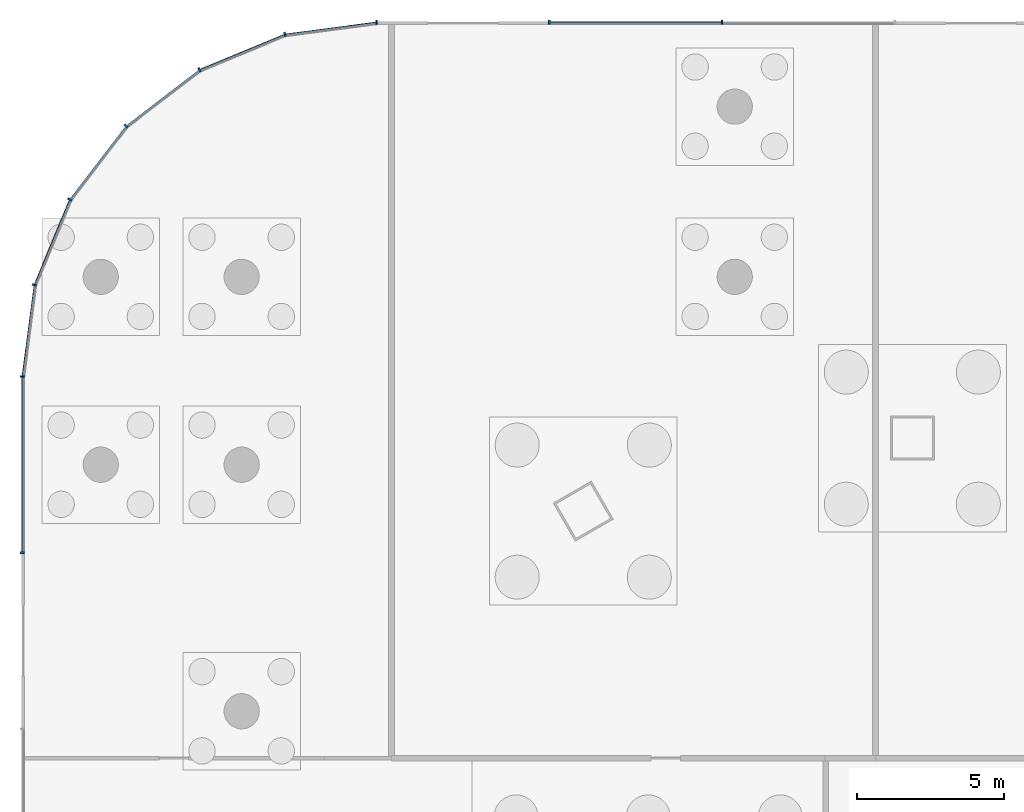
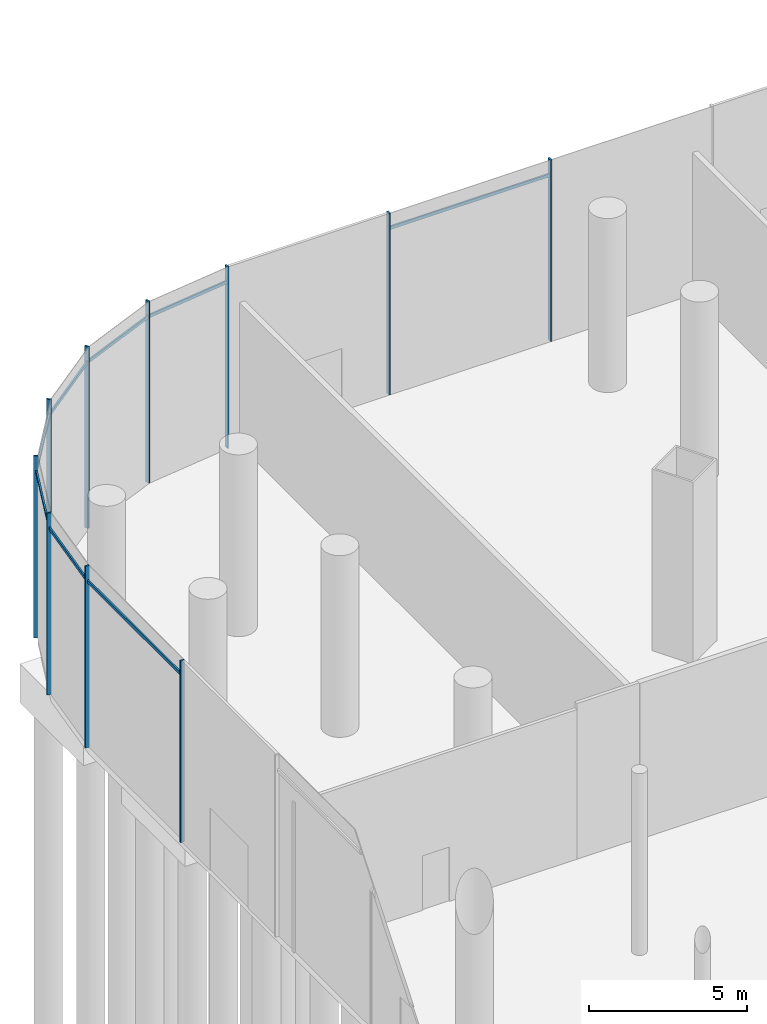
# One storey, part 15 of 41: 18 members, 1 element without a shape of its own.
"""IFC4 building model written with IfcOpenShell, lengths in metres."""

from ifc_helpers import new_model, si_unit, direction, frame, origin, origin_2d, place, context, subcontext, project, spatial, rectangle, extrude, material, material_profile, profile_set, type_object, element, aggregate, save


model = new_model("IFC4")

# Units and contexts
model_context = context("Model", 3, precision=1e-05, world=origin(), true_north=direction((0.0, 1.0)))
body_context = subcontext(model_context, "Body", "Model", "MODEL_VIEW")
ifc_project = project(units=[si_unit("LENGTHUNIT", "METRE"), si_unit("AREAUNIT", "SQUARE_METRE"), si_unit("VOLUMEUNIT", "CUBIC_METRE"), si_unit("PLANEANGLEUNIT", "RADIAN"), si_unit("MASSUNIT", "GRAM", prefix="KILO")], contexts=[model_context])

# Site, building, storey
site_placement = place(None, origin())
site = spatial("IfcSite", under=ifc_project, at=site_placement, CompositionType="ELEMENT")
building_placement = place(site_placement, origin())
building = spatial("IfcBuilding", under=site, at=building_placement, Name="Rimbun Link Towers", CompositionType="ELEMENT")
storey_placement = place(building_placement, origin())
storey = spatial("IfcBuildingStorey", under=building, at=storey_placement, Name="L00", CompositionType="ELEMENT", Elevation=0.0)

# Curtain wall, members
ifc_material_1 = material(Name="Aluminium 6063-T6 and low-iron glass", Category="aluminium")
curtain_wall_type = type_object("IfcCurtainWallType", Name="CW3 podium shopfront", PredefinedType="NOTDEFINED", material=ifc_material_1)
curtain_wall_placement = place(storey_placement, origin())
curtain_wall = element("IfcCurtainWall", 1, at=curtain_wall_placement, inside=storey, type_object=curtain_wall_type, Name="CW3 L00 PD", PredefinedType="NOTDEFINED")
ifc_material_2 = material(Name="Aluminium 6063-T6", Category="aluminium")
ifc_material_profile_1 = material_profile(ifc_material_2, rectangle(XDim=0.14990234375, YDim=0.06005859375, at=origin_2d()), Name="MULLION 60X150")
ifc_profile_set_1 = profile_set([ifc_material_profile_1], Name="Aluminium 6063-T6")
member_type_1 = type_object("IfcMemberType", Name="CW3 mullion 60X150", PredefinedType="MULLION", material=ifc_profile_set_1)
member_1_placement = place(storey_placement, frame((-38.2353515625, 36.074951171875, 0.0), z_axis=(0.0, 0.0, 1.0), x_axis=(0.0, 1.0, 0.0)))
member_1 = element("IfcMember", 2, at=member_1_placement, type_object=member_type_1, Name="CW3 mullion", PredefinedType="MULLION", context=body_context, shape_type="SweptSolid", body=[
    extrude(rectangle(XDim=0.14990234375, YDim=0.06005859375, at=origin_2d()), origin(), (0.0, 0.0, 1.0), 7.0),
])
member_2_placement = place(storey_placement, frame((-44.11767578125, 36.074951171875, 0.0), z_axis=(0.0, 0.0, 1.0), x_axis=(0.0, 1.0, 0.0)))
member_2 = element("IfcMember", 3, at=member_2_placement, type_object=member_type_1, Name="CW3 mullion", PredefinedType="MULLION", context=body_context, shape_type="SweptSolid", body=[
    extrude(rectangle(XDim=0.14990234375, YDim=0.06005859375, at=origin_2d()), origin(), (0.0, 0.0, 1.0), 7.0),
])
member_3_placement = place(storey_placement, frame((-50.0048828125, 36.074951171875, 0.0), z_axis=(0.0, 0.0, 1.0), x_axis=(-0.065405288299, 0.997858781723, 0.0)))
member_3 = element("IfcMember", 4, at=member_3_placement, type_object=member_type_1, Name="CW3 mullion", PredefinedType="MULLION", context=body_context, shape_type="SweptSolid", body=[
    extrude(rectangle(XDim=0.14990234375, YDim=0.06005859375, at=origin_2d()), origin(), (0.0, 0.0, 1.0), 7.0),
])
member_4_placement = place(storey_placement, frame((-53.125244140625, 35.66357421875, 0.0), z_axis=(0.0, 0.0, 1.0), x_axis=(-0.258818729038, 0.965925910978, 0.0)))
member_4 = element("IfcMember", 5, at=member_4_placement, type_object=member_type_1, Name="CW3 mullion", PredefinedType="MULLION", context=body_context, shape_type="SweptSolid", body=[
    extrude(rectangle(XDim=0.14990234375, YDim=0.06005859375, at=origin_2d()), origin(), (0.0, 0.0, 1.0), 7.0),
])
member_5_placement = place(storey_placement, frame((-56.03759765625, 34.457275390625, 0.0), z_axis=(0.0, 0.0, 1.0), x_axis=(-0.499993701568, 0.866029040155, 0.0)))
member_5 = element("IfcMember", 6, at=member_5_placement, type_object=member_type_1, Name="CW3 mullion", PredefinedType="MULLION", context=body_context, shape_type="SweptSolid", body=[
    extrude(rectangle(XDim=0.14990234375, YDim=0.06005859375, at=origin_2d()), origin(), (0.0, 0.0, 1.0), 7.0),
])
member_6_placement = place(storey_placement, frame((-58.538330078125, 32.538330078125, 0.0), z_axis=(0.0, 0.0, 1.0), x_axis=(-0.707106781187, 0.707106781187, 0.0)))
member_6 = element("IfcMember", 7, at=member_6_placement, type_object=member_type_1, Name="CW3 mullion", PredefinedType="MULLION", context=body_context, shape_type="SweptSolid", body=[
    extrude(rectangle(XDim=0.14990234375, YDim=0.06005859375, at=origin_2d()), origin(), (0.0, 0.0, 1.0), 7.0),
])
member_7_placement = place(storey_placement, frame((-60.457275390625, 30.03759765625, 0.0), z_axis=(0.0, 0.0, 1.0), x_axis=(-0.866029040155, 0.499993701568, 0.0)))
member_7 = element("IfcMember", 8, at=member_7_placement, type_object=member_type_1, Name="CW3 mullion", PredefinedType="MULLION", context=body_context, shape_type="SweptSolid", body=[
    extrude(rectangle(XDim=0.14990234375, YDim=0.06005859375, at=origin_2d()), origin(), (0.0, 0.0, 1.0), 7.0),
])
member_8_placement = place(storey_placement, frame((-61.66357421875, 27.125244140625, 0.0), z_axis=(0.0, 0.0, 1.0), x_axis=(-0.965925910978, 0.258818729038, 0.0)))
member_8 = element("IfcMember", 9, at=member_8_placement, type_object=member_type_1, Name="CW3 mullion", PredefinedType="MULLION", context=body_context, shape_type="SweptSolid", body=[
    extrude(rectangle(XDim=0.14990234375, YDim=0.06005859375, at=origin_2d()), origin(), (0.0, 0.0, 1.0), 7.0),
])
member_9_placement = place(storey_placement, frame((-62.074951171875, 24.0048828125, 0.0), z_axis=(0.0, 0.0, 1.0), x_axis=(-0.997858781723, 0.065405288299, 0.0)))
member_9 = element("IfcMember", 10, at=member_9_placement, type_object=member_type_1, Name="CW3 mullion", PredefinedType="MULLION", context=body_context, shape_type="SweptSolid", body=[
    extrude(rectangle(XDim=0.14990234375, YDim=0.06005859375, at=origin_2d()), origin(), (0.0, 0.0, 1.0), 7.0),
])
member_10_placement = place(storey_placement, frame((-62.074951171875, 18.0, 0.0), z_axis=(0.0, 0.0, 1.0), x_axis=(-1.0, 0.0, 0.0)))
member_10 = element("IfcMember", 11, at=member_10_placement, type_object=member_type_1, Name="CW3 mullion", PredefinedType="MULLION", context=body_context, shape_type="SweptSolid", body=[
    extrude(rectangle(XDim=0.14990234375, YDim=0.06005859375, at=origin_2d()), origin(), (0.0, 0.0, 1.0), 7.0),
])
ifc_material_3 = material(Name="Aluminium 6063-T6", Category="aluminium")
ifc_material_profile_2 = material_profile(ifc_material_3, rectangle(XDim=0.06005859375, YDim=0.1201171875, at=origin_2d()), Name="TRANSOM 60X120")
ifc_profile_set_2 = profile_set([ifc_material_profile_2], Name="Aluminium 6063-T6")
member_type_2 = type_object("IfcMemberType", Name="CW3 transom 60X120", PredefinedType="USERDEFINED", material=ifc_profile_set_2)
member_11_placement = place(storey_placement, frame((-44.087646484375, 36.053955078125, 6.39990234375), z_axis=(1.0, 0.0, 0.0), x_axis=(0.0, 1.0, 0.0)))
member_11 = element("IfcMember", 12, at=member_11_placement, type_object=member_type_2, Name="CW3 transom", ObjectType="TRANSOM", PredefinedType="USERDEFINED", context=body_context, shape_type="SweptSolid", body=[
    extrude(rectangle(XDim=0.06005859375, YDim=0.1201171875, at=origin_2d()), origin(), (0.0, 0.0, 1.0), 5.822265625),
])
member_12_placement = place(storey_placement, frame((-53.0830078125, 35.6484375, 6.39990234375), z_axis=(0.991441037829, 0.130555231638, 0.0), x_axis=(-0.130555231638, 0.991441037829, 0.0)))
member_12 = element("IfcMember", 13, at=member_12_placement, type_object=member_type_2, Name="CW3 transom", ObjectType="TRANSOM", PredefinedType="USERDEFINED", context=body_context, shape_type="SweptSolid", body=[
    extrude(rectangle(XDim=0.06005859375, YDim=0.1201171875, at=origin_2d()), origin(), (0.0, 0.0, 1.0), 3.072509765625),
])
member_13_placement = place(storey_placement, frame((-55.992919921875, 34.45361328125, 6.39990234375), z_axis=(0.923881248716, 0.382679289053, 0.0), x_axis=(-0.382679289053, 0.923881248716, 0.0)))
member_13 = element("IfcMember", 14, at=member_13_placement, type_object=member_type_2, Name="CW3 transom", ObjectType="TRANSOM", PredefinedType="USERDEFINED", context=body_context, shape_type="SweptSolid", body=[
    extrude(rectangle(XDim=0.06005859375, YDim=0.1201171875, at=origin_2d()), origin(), (0.0, 0.0, 1.0), 3.072509765625),
])
member_14_placement = place(storey_placement, frame((-58.494384765625, 32.54638671875, 6.39990234375), z_axis=(0.793344129687, 0.608773432314, 0.0), x_axis=(-0.608773432314, 0.793344129687, 0.0)))
member_14 = element("IfcMember", 15, at=member_14_placement, type_object=member_type_2, Name="CW3 transom", ObjectType="TRANSOM", PredefinedType="USERDEFINED", context=body_context, shape_type="SweptSolid", body=[
    extrude(rectangle(XDim=0.06005859375, YDim=0.1201171875, at=origin_2d()), origin(), (0.0, 0.0, 1.0), 3.07275390625),
])
member_15_placement = place(storey_placement, frame((-60.4169921875, 30.056640625, 6.39990234375), z_axis=(0.608773432314, 0.793344129687, 0.0), x_axis=(-0.793344129687, 0.608773432314, 0.0)))
member_15 = element("IfcMember", 16, at=member_15_placement, type_object=member_type_2, Name="CW3 transom", ObjectType="TRANSOM", PredefinedType="USERDEFINED", context=body_context, shape_type="SweptSolid", body=[
    extrude(rectangle(XDim=0.06005859375, YDim=0.1201171875, at=origin_2d()), origin(), (0.0, 0.0, 1.0), 3.07275390625),
])
member_16_placement = place(storey_placement, frame((-61.62939453125, 27.154296875, 6.39990234375), z_axis=(0.382679289053, 0.923881248716, 0.0), x_axis=(-0.923881248716, 0.382679289053, 0.0)))
member_16 = element("IfcMember", 17, at=member_16_placement, type_object=member_type_2, Name="CW3 transom", ObjectType="TRANSOM", PredefinedType="USERDEFINED", context=body_context, shape_type="SweptSolid", body=[
    extrude(rectangle(XDim=0.06005859375, YDim=0.1201171875, at=origin_2d()), origin(), (0.0, 0.0, 1.0), 3.072509765625),
])
member_17_placement = place(storey_placement, frame((-62.049560546875, 24.036865234375, 6.39990234375), z_axis=(0.130555231638, 0.991441037829, 0.0), x_axis=(-0.991441037829, 0.130555231638, 0.0)))
member_17 = element("IfcMember", 18, at=member_17_placement, type_object=member_type_2, Name="CW3 transom", ObjectType="TRANSOM", PredefinedType="USERDEFINED", context=body_context, shape_type="SweptSolid", body=[
    extrude(rectangle(XDim=0.06005859375, YDim=0.1201171875, at=origin_2d()), origin(), (0.0, 0.0, 1.0), 3.072509765625),
])
member_18_placement = place(storey_placement, frame((-62.053955078125, 18.030029296875, 6.39990234375), z_axis=(0.0, 1.0, 0.0), x_axis=(-1.0, 0.0, 0.0)))
member_18 = element("IfcMember", 19, at=member_18_placement, type_object=member_type_2, Name="CW3 transom", ObjectType="TRANSOM", PredefinedType="USERDEFINED", context=body_context, shape_type="SweptSolid", body=[
    extrude(rectangle(XDim=0.06005859375, YDim=0.1201171875, at=origin_2d()), origin(), (0.0, 0.0, 1.0), 5.93994140625),
])
aggregate(curtain_wall, [member_1, member_2, member_3, member_4, member_5, member_6, member_7, member_8, member_9, member_10, member_11, member_12, member_13, member_14, member_15, member_16, member_17, member_18])

save(model, "model.ifc")
